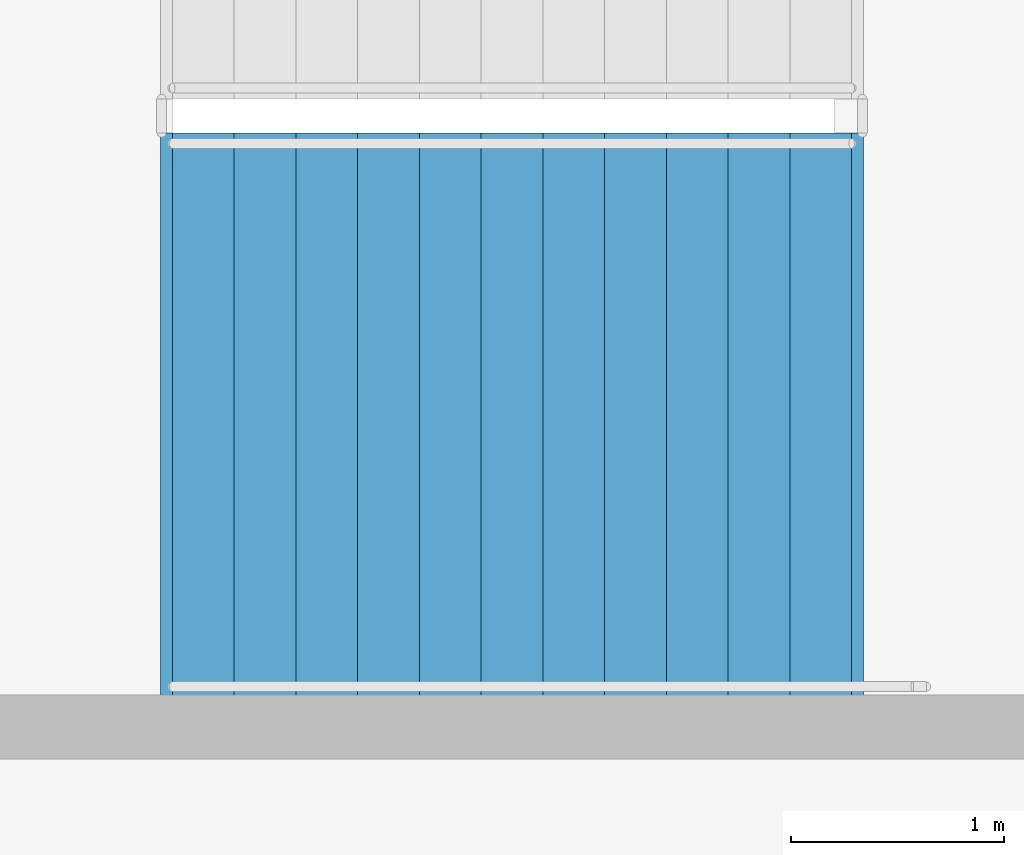
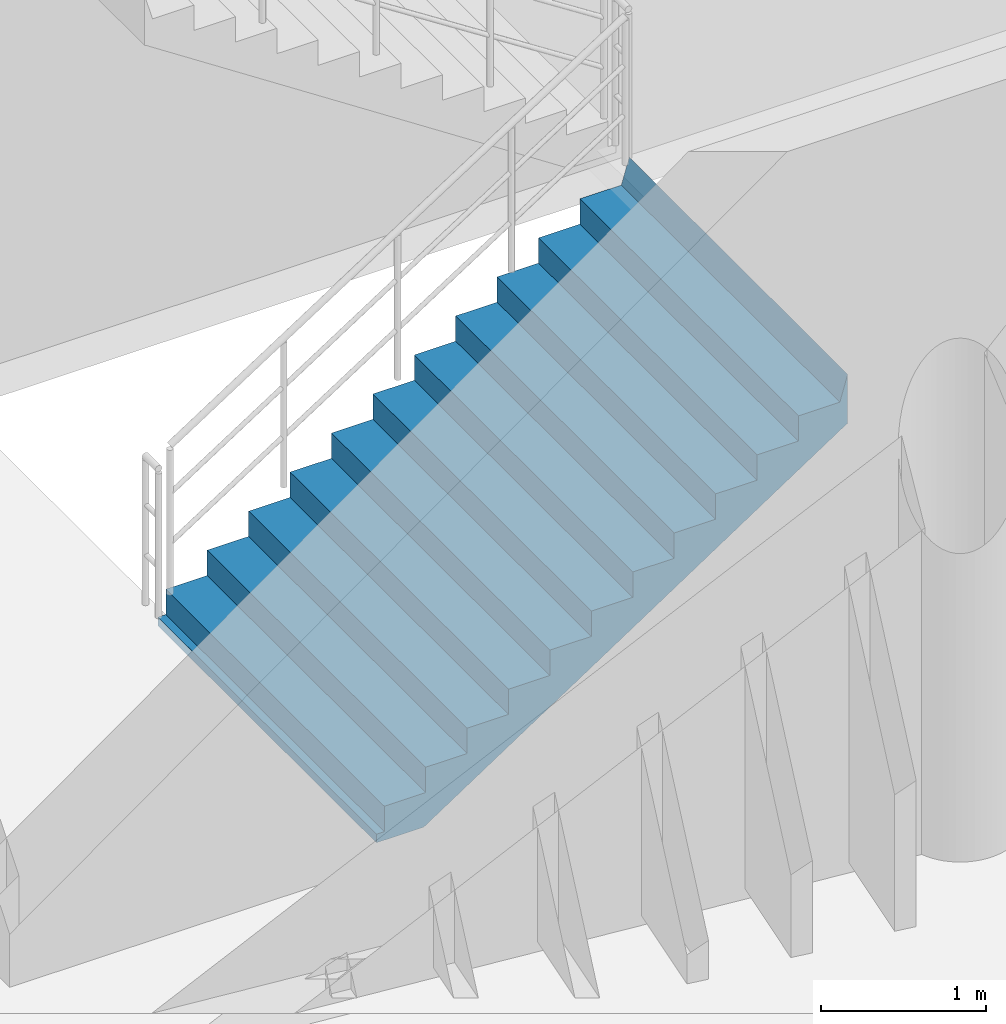
# One storey, part 31 of 45: 1 stair flight, 1 element without a shape of its own.
"""IFC4 building model written with IfcOpenShell, lengths in metres."""

from ifc_helpers import new_model, si_unit, direction, frame, origin, place, context, subcontext, project, spatial, polyline, outline, extrude, material, type_object, element, aggregate, save


model = new_model("IFC4")

# Units and contexts
model_context = context("Model", 3, precision=1e-05, world=origin(), true_north=direction((0.0, 1.0)))
body_context = subcontext(model_context, "Body", "Model", "MODEL_VIEW")
ifc_project = project(units=[si_unit("LENGTHUNIT", "METRE"), si_unit("AREAUNIT", "SQUARE_METRE"), si_unit("VOLUMEUNIT", "CUBIC_METRE"), si_unit("PLANEANGLEUNIT", "RADIAN"), si_unit("MASSUNIT", "GRAM", prefix="KILO")], contexts=[model_context])

# Site, building, storey
site_placement = place(None, origin())
site = spatial("IfcSite", under=ifc_project, at=site_placement, CompositionType="ELEMENT")
building_placement = place(site_placement, origin())
building = spatial("IfcBuilding", under=site, at=building_placement, Name="Cinderbank Siding Concert Hall", CompositionType="ELEMENT")
storey_placement = place(building_placement, frame((0.0, 0.0, 19.199951171875)))
storey = spatial("IfcBuildingStorey", under=building, at=storey_placement, Name="L05", CompositionType="ELEMENT", Elevation=19.199951171875)

# Stair, stair flight
ifc_material = material(Name="Reinforced concrete AS 3600 N50 (50 MPa)", Category="concrete")
stair_type = type_object("IfcStairType", Name="STR-A Dogleg Exit Stair 2650mm", PredefinedType="HALF_TURN_STAIR", material=ifc_material)
stair_placement = place(storey_placement, origin())
stair = element("IfcStair", 1, at=stair_placement, inside=storey, type_object=stair_type, Name="L05 Fire-isolated Exit Stair ST-02", PredefinedType="HALF_TURN_STAIR")
stair_flight_type = type_object("IfcStairFlightType", Name="SFL-A Concrete Stair Flight 2650mm", PredefinedType="STRAIGHT", material=ifc_material)
stair_flight_placement = place(storey_placement, frame((118.949951171875, 25.02490234375, 0.0), z_axis=(0.0, 0.0, 1.0), x_axis=(1.0, 0.0, 0.0)))
stair_flight = element("IfcStairFlight", 2, at=stair_flight_placement, type_object=stair_flight_type, Name="ST-02 flight 1", NumberOfRisers=12, NumberOfTreads=11, PredefinedType="STRAIGHT", RiserHeight=0.1875, TreadLength=0.29, context=body_context, shape_type="SweptSolid", body=[
    extrude(outline(polyline([(0.0, 0.0), (0.0, 0.1875), (0.2900390625, 0.1875), (0.2900390625, 0.375), (0.580078125, 0.375), (0.580078125, 0.5625), (0.8701171875, 0.5625), (0.8701171875, 0.75), (1.159912109375, 0.75), (1.159912109375, 0.9375), (1.449951171875, 0.9375), (1.449951171875, 1.125), (1.739990234375, 1.125), (1.739990234375, 1.3125), (2.030029296875, 1.3125), (2.030029296875, 1.5), (2.320068359375, 1.5), (2.320068359375, 1.6875), (2.610107421875, 1.6875), (2.610107421875, 1.875), (2.89990234375, 1.875), (2.89990234375, 2.0625), (3.18994140625, 2.0625), (3.244873046875, 2.25), (3.244873046875, 1.884033203125), (3.24462890625, 1.88427734375), (3.24462890625, 1.884521484375), (3.24462890625, 1.884765625), (3.24462890625, 1.885009765625), (3.24462890625, 1.88525390625), (3.24462890625, 1.885498046875), (3.24462890625, 1.8857421875), (3.24462890625, 1.885986328125), (3.24462890625, 1.88623046875), (3.24462890625, 1.886474609375), (3.24462890625, 1.88671875), (3.24462890625, 1.886962890625), (3.244384765625, 1.886962890625), (3.244384765625, 1.88671875), (3.244384765625, 1.886474609375), (3.244384765625, 1.88623046875), (3.244384765625, 1.885986328125), (3.244384765625, 1.8857421875), (3.244384765625, 1.885498046875), (3.244384765625, 1.88525390625), (3.244384765625, 1.885009765625), (3.244384765625, 1.884765625), (3.244384765625, 1.884521484375), (3.244384765625, 1.88427734375), (3.244384765625, 1.884033203125), (3.244140625, 1.88427734375), (3.244140625, 1.884521484375), (3.244140625, 1.884765625), (3.244140625, 1.885009765625), (3.244140625, 1.88525390625), (3.244140625, 1.885498046875), (3.244140625, 1.8857421875), (3.244140625, 1.885986328125), (3.244140625, 1.88623046875), (3.244140625, 1.886474609375), (3.244140625, 1.88671875), (3.244140625, 1.886962890625), (3.243896484375, 1.886962890625), (3.243896484375, 1.88671875), (3.243896484375, 1.886474609375), (3.243896484375, 1.88623046875), (3.243896484375, 1.885986328125), (3.243896484375, 1.8857421875), (3.243896484375, 1.885498046875), (3.243896484375, 1.88525390625), (3.243896484375, 1.885009765625), (3.243896484375, 1.884765625), (3.243896484375, 1.884521484375), (3.243896484375, 1.88427734375), (3.243896484375, 1.884033203125), (3.24365234375, 1.88427734375), (3.24365234375, 1.884521484375), (3.24365234375, 1.884765625), (3.24365234375, 1.885009765625), (3.24365234375, 1.88525390625), (3.24365234375, 1.885498046875), (3.24365234375, 1.8857421875), (3.24365234375, 1.885986328125), (3.24365234375, 1.88623046875), (3.24365234375, 1.886474609375), (3.24365234375, 1.88671875), (3.24365234375, 1.886962890625), (3.243408203125, 1.886962890625), (3.243408203125, 1.88671875), (3.243408203125, 1.886474609375), (3.243408203125, 1.88623046875), (3.243408203125, 1.885986328125), (3.243408203125, 1.8857421875), (3.243408203125, 1.885498046875), (3.243408203125, 1.88525390625), (3.243408203125, 1.885009765625), (3.243408203125, 1.884765625), (3.243408203125, 1.884521484375), (3.243408203125, 1.88427734375), (3.243408203125, 1.884033203125), (3.2431640625, 1.88427734375), (3.2431640625, 1.884521484375), (3.2431640625, 1.884765625), (3.2431640625, 1.885009765625), (3.2431640625, 1.88525390625), (3.2431640625, 1.885498046875), (3.2431640625, 1.8857421875), (3.2431640625, 1.885986328125), (3.2431640625, 1.88623046875), (3.2431640625, 1.886474609375), (3.2431640625, 1.88671875), (3.2431640625, 1.886962890625), (3.242919921875, 1.886962890625), (3.242919921875, 1.88671875), (3.242919921875, 1.886474609375), (3.242919921875, 1.88623046875), (3.242919921875, 1.885986328125), (3.242919921875, 1.8857421875), (3.242919921875, 1.885498046875), (3.242919921875, 1.88525390625), (3.242919921875, 1.885009765625), (3.242919921875, 1.884765625), (3.242919921875, 1.884521484375), (3.242919921875, 1.88427734375), (3.242919921875, 1.884033203125), (3.24267578125, 1.88427734375), (3.24267578125, 1.884521484375), (3.24267578125, 1.884765625), (3.24267578125, 1.885009765625), (3.24267578125, 1.88525390625), (3.24267578125, 1.885498046875), (3.24267578125, 1.8857421875), (3.24267578125, 1.885986328125), (3.24267578125, 1.88623046875), (3.24267578125, 1.886474609375), (3.24267578125, 1.88671875), (3.24267578125, 1.886962890625), (3.242431640625, 1.886962890625), (3.242431640625, 1.88671875), (3.242431640625, 1.886474609375), (3.242431640625, 1.88623046875), (3.242431640625, 1.885986328125), (3.242431640625, 1.8857421875), (3.242431640625, 1.885498046875), (3.242431640625, 1.88525390625), (3.242431640625, 1.885009765625), (3.242431640625, 1.884765625), (3.242431640625, 1.884521484375), (3.242431640625, 1.88427734375), (3.242431640625, 1.884033203125), (3.2421875, 1.88427734375), (3.2421875, 1.884521484375), (3.2421875, 1.884765625), (3.2421875, 1.885009765625), (3.2421875, 1.88525390625), (3.2421875, 1.885498046875), (3.2421875, 1.8857421875), (3.2421875, 1.885986328125), (3.2421875, 1.88623046875), (3.2421875, 1.886474609375), (3.2421875, 1.88671875), (3.2421875, 1.886962890625), (3.241943359375, 1.886962890625), (3.241943359375, 1.88671875), (3.241943359375, 1.886474609375), (3.241943359375, 1.88623046875), (3.241943359375, 1.885986328125), (3.241943359375, 1.8857421875), (3.241943359375, 1.885498046875), (3.241943359375, 1.88525390625), (3.241943359375, 1.885009765625), (3.241943359375, 1.884765625), (3.241943359375, 1.884521484375), (3.241943359375, 1.88427734375), (3.241943359375, 1.884033203125), (3.24169921875, 1.88427734375), (3.24169921875, 1.884521484375), (3.24169921875, 1.884765625), (3.24169921875, 1.885009765625), (3.24169921875, 1.88525390625), (3.24169921875, 1.885498046875), (3.24169921875, 1.8857421875), (3.24169921875, 1.885986328125), (3.24169921875, 1.88623046875), (3.24169921875, 1.886474609375), (3.24169921875, 1.88671875), (3.24169921875, 1.886962890625), (3.241455078125, 1.886962890625), (3.241455078125, 1.88671875), (3.241455078125, 1.886474609375), (3.241455078125, 1.88623046875), (3.241455078125, 1.885986328125), (3.241455078125, 1.8857421875), (3.241455078125, 1.885498046875), (3.241455078125, 1.88525390625), (3.241455078125, 1.885009765625), (3.241455078125, 1.884765625), (3.241455078125, 1.884521484375), (3.241455078125, 1.88427734375), (3.241455078125, 1.884033203125), (3.2412109375, 1.88427734375), (3.2412109375, 1.884521484375), (3.2412109375, 1.884765625), (3.2412109375, 1.885009765625), (3.2412109375, 1.88525390625), (3.2412109375, 1.885498046875), (3.2412109375, 1.8857421875), (3.2412109375, 1.885986328125), (3.2412109375, 1.88623046875), (3.2412109375, 1.886474609375), (3.2412109375, 1.88671875), (3.2412109375, 1.886962890625), (3.240966796875, 1.886962890625), (3.240966796875, 1.88671875), (3.240966796875, 1.886474609375), (3.240966796875, 1.88623046875), (3.240966796875, 1.885986328125), (3.240966796875, 1.8857421875), (3.240966796875, 1.885498046875), (3.240966796875, 1.88525390625), (3.240966796875, 1.885009765625), (3.240966796875, 1.884765625), (3.240966796875, 1.884521484375), (3.240966796875, 1.88427734375), (3.240966796875, 1.884033203125), (3.24072265625, 1.88427734375), (3.24072265625, 1.884521484375), (3.24072265625, 1.884765625), (3.24072265625, 1.885009765625), (3.24072265625, 1.88525390625), (3.24072265625, 1.885498046875), (3.24072265625, 1.8857421875), (3.24072265625, 1.885986328125), (3.24072265625, 1.88623046875), (3.24072265625, 1.886474609375), (3.24072265625, 1.88671875), (3.24072265625, 1.886962890625), (3.240478515625, 1.886962890625), (3.240478515625, 1.88671875), (3.240478515625, 1.886474609375), (3.240478515625, 1.88623046875), (3.240478515625, 1.885986328125), (3.240478515625, 1.8857421875), (3.240478515625, 1.885498046875), (3.240478515625, 1.88525390625), (3.240478515625, 1.885009765625), (3.240478515625, 1.884765625), (3.240478515625, 1.884521484375), (3.240478515625, 1.88427734375), (3.240478515625, 1.884033203125), (3.240234375, 1.88427734375), (3.240234375, 1.884521484375), (3.240234375, 1.884765625), (3.240234375, 1.885009765625), (3.240234375, 1.88525390625), (3.240234375, 1.885498046875), (3.240234375, 1.8857421875), (3.240234375, 1.885986328125), (3.240234375, 1.88623046875), (3.240234375, 1.886474609375), (3.240234375, 1.88671875), (3.240234375, 1.886962890625), (3.239990234375, 1.886962890625), (3.239990234375, 1.88671875), (3.239990234375, 1.886474609375), (3.239990234375, 1.88623046875), (3.239990234375, 1.885986328125), (3.239990234375, 1.8857421875), (3.239990234375, 1.885498046875), (3.239990234375, 1.88525390625), (3.239990234375, 1.885009765625), (3.239990234375, 1.884765625), (3.239990234375, 1.884521484375), (3.239990234375, 1.88427734375), (3.239990234375, 1.884033203125), (3.23974609375, 1.88427734375), (3.23974609375, 1.884521484375), (3.23974609375, 1.884765625), (3.23974609375, 1.885009765625), (3.23974609375, 1.88525390625), (3.23974609375, 1.885498046875), (3.23974609375, 1.8857421875), (3.23974609375, 1.885986328125), (3.23974609375, 1.88623046875), (3.23974609375, 1.886474609375), (3.23974609375, 1.88671875), (3.23974609375, 1.886962890625), (3.239501953125, 1.886962890625), (3.239501953125, 1.88671875), (3.239501953125, 1.886474609375), (3.239501953125, 1.88623046875), (3.239501953125, 1.885986328125), (3.239501953125, 1.8857421875), (3.239501953125, 1.885498046875), (3.239501953125, 1.88525390625), (3.239501953125, 1.885009765625), (3.239501953125, 1.884765625), (3.239501953125, 1.884521484375), (3.239501953125, 1.88427734375), (3.239501953125, 1.884033203125), (3.2392578125, 1.88427734375), (3.2392578125, 1.884521484375), (3.2392578125, 1.884765625), (3.2392578125, 1.885009765625), (3.2392578125, 1.88525390625), (3.2392578125, 1.885498046875), (3.2392578125, 1.8857421875), (3.2392578125, 1.885986328125), (3.2392578125, 1.88623046875), (3.2392578125, 1.886474609375), (3.2392578125, 1.88671875), (3.2392578125, 1.886962890625), (3.239013671875, 1.886962890625), (3.239013671875, 1.88671875), (3.239013671875, 1.886474609375), (3.239013671875, 1.88623046875), (3.239013671875, 1.885986328125), (3.239013671875, 1.8857421875), (3.239013671875, 1.885498046875), (3.239013671875, 1.88525390625), (3.239013671875, 1.885009765625), (3.239013671875, 1.884765625), (3.239013671875, 1.884521484375), (3.239013671875, 1.88427734375), (3.239013671875, 1.884033203125), (3.23876953125, 1.88427734375), (3.23876953125, 1.884521484375), (3.23876953125, 1.884765625), (3.23876953125, 1.885009765625), (3.23876953125, 1.88525390625), (3.23876953125, 1.885498046875), (3.23876953125, 1.8857421875), (3.23876953125, 1.885986328125), (3.23876953125, 1.88623046875), (3.23876953125, 1.886474609375), (3.23876953125, 1.88671875), (3.23876953125, 1.886962890625), (3.238525390625, 1.886962890625), (3.238525390625, 1.88671875), (3.238525390625, 1.886474609375), (3.238525390625, 1.88623046875), (3.238525390625, 1.885986328125), (3.238525390625, 1.8857421875), (3.238525390625, 1.885498046875), (3.238525390625, 1.88525390625), (3.238525390625, 1.885009765625), (3.238525390625, 1.884765625), (3.238525390625, 1.884521484375), (3.238525390625, 1.88427734375), (3.238525390625, 1.884033203125), (0.276123046875, -0.06396484375), (-0.048583984375, -0.063720703125), (-0.048583984375, -0.0634765625), (-0.048583984375, -0.063232421875), (-0.048583984375, -0.06298828125), (-0.048583984375, -0.062744140625), (-0.048583984375, -0.0625), (-0.048583984375, -0.062255859375), (-0.048583984375, -0.06201171875), (-0.048583984375, -0.061767578125), (-0.048583984375, -0.0615234375), (-0.048583984375, -0.061279296875), (-0.048583984375, -0.06103515625), (-0.048828125, -0.06103515625), (-0.048828125, -0.061279296875), (-0.048828125, -0.0615234375), (-0.048828125, -0.061767578125), (-0.048828125, -0.06201171875), (-0.048828125, -0.062255859375), (-0.048828125, -0.0625), (-0.048828125, -0.062744140625), (-0.048828125, -0.06298828125), (-0.048828125, -0.063232421875), (-0.048828125, -0.0634765625), (-0.048828125, -0.063720703125), (-0.048828125, -0.06396484375), (-0.049072265625, -0.063720703125), (-0.049072265625, -0.0634765625), (-0.049072265625, -0.063232421875), (-0.049072265625, -0.06298828125), (-0.049072265625, -0.062744140625), (-0.049072265625, -0.0625), (-0.049072265625, -0.062255859375), (-0.049072265625, -0.06201171875), (-0.049072265625, -0.061767578125), (-0.049072265625, -0.0615234375), (-0.049072265625, -0.061279296875), (-0.049072265625, -0.06103515625), (-0.04931640625, -0.06103515625), (-0.04931640625, -0.061279296875), (-0.04931640625, -0.0615234375), (-0.04931640625, -0.061767578125), (-0.04931640625, -0.06201171875), (-0.04931640625, -0.062255859375), (-0.04931640625, -0.0625), (-0.04931640625, -0.062744140625), (-0.04931640625, -0.06298828125), (-0.04931640625, -0.063232421875), (-0.04931640625, -0.0634765625), (-0.04931640625, -0.063720703125), (-0.04931640625, -0.06396484375), (-0.049560546875, -0.063720703125), (-0.049560546875, -0.0634765625), (-0.049560546875, -0.063232421875), (-0.049560546875, -0.06298828125), (-0.049560546875, -0.062744140625), (-0.049560546875, -0.0625), (-0.049560546875, -0.062255859375), (-0.049560546875, -0.06201171875), (-0.049560546875, -0.061767578125), (-0.049560546875, -0.0615234375), (-0.049560546875, -0.061279296875), (-0.049560546875, -0.06103515625), (-0.0498046875, -0.06103515625), (-0.0498046875, -0.061279296875), (-0.0498046875, -0.0615234375), (-0.0498046875, -0.061767578125), (-0.0498046875, -0.06201171875), (-0.0498046875, -0.062255859375), (-0.0498046875, -0.0625), (-0.0498046875, -0.062744140625), (-0.0498046875, -0.06298828125), (-0.0498046875, -0.063232421875), (-0.0498046875, -0.0634765625), (-0.0498046875, -0.063720703125), (-0.0498046875, -0.06396484375), (-0.050048828125, -0.063720703125), (-0.050048828125, -0.0634765625), (-0.050048828125, -0.063232421875), (-0.050048828125, -0.06298828125), (-0.050048828125, -0.062744140625), (-0.050048828125, -0.0625), (-0.050048828125, -0.062255859375), (-0.050048828125, -0.06201171875), (-0.050048828125, -0.061767578125), (-0.050048828125, -0.0615234375), (-0.050048828125, -0.061279296875), (-0.050048828125, -0.06103515625), (-0.05029296875, -0.06103515625), (-0.05029296875, -0.061279296875), (-0.05029296875, -0.0615234375), (-0.05029296875, -0.061767578125), (-0.05029296875, -0.06201171875), (-0.05029296875, -0.062255859375), (-0.05029296875, -0.0625), (-0.05029296875, -0.062744140625), (-0.05029296875, -0.06298828125), (-0.05029296875, -0.063232421875), (-0.05029296875, -0.0634765625), (-0.05029296875, -0.063720703125), (-0.05029296875, -0.06396484375), (-0.050537109375, -0.063720703125), (-0.050537109375, -0.0634765625), (-0.050537109375, -0.063232421875), (-0.050537109375, -0.06298828125), (-0.050537109375, -0.062744140625), (-0.050537109375, -0.0625), (-0.050537109375, -0.062255859375), (-0.050537109375, -0.06201171875), (-0.050537109375, -0.061767578125), (-0.050537109375, -0.0615234375), (-0.050537109375, -0.061279296875), (-0.050537109375, -0.06103515625), (-0.05078125, -0.06103515625), (-0.05078125, -0.061279296875), (-0.05078125, -0.0615234375), (-0.05078125, -0.061767578125), (-0.05078125, -0.06201171875), (-0.05078125, -0.062255859375), (-0.05078125, -0.0625), (-0.05078125, -0.062744140625), (-0.05078125, -0.06298828125), (-0.05078125, -0.063232421875), (-0.05078125, -0.0634765625), (-0.05078125, -0.063720703125), (-0.05078125, -0.06396484375), (-0.051025390625, -0.063720703125), (-0.051025390625, -0.0634765625), (-0.051025390625, -0.063232421875), (-0.051025390625, -0.06298828125), (-0.051025390625, -0.062744140625), (-0.051025390625, -0.0625), (-0.051025390625, -0.062255859375), (-0.051025390625, -0.06201171875), (-0.051025390625, -0.061767578125), (-0.051025390625, -0.0615234375), (-0.051025390625, -0.061279296875), (-0.051025390625, -0.06103515625), (-0.05126953125, -0.06103515625), (-0.05126953125, -0.061279296875), (-0.05126953125, -0.0615234375), (-0.05126953125, -0.061767578125), (-0.05126953125, -0.06201171875), (-0.05126953125, -0.062255859375), (-0.05126953125, -0.0625), (-0.05126953125, -0.062744140625), (-0.05126953125, -0.06298828125), (-0.05126953125, -0.063232421875), (-0.05126953125, -0.0634765625), (-0.05126953125, -0.063720703125), (-0.05126953125, -0.06396484375), (-0.051513671875, -0.063720703125), (-0.051513671875, -0.0634765625), (-0.051513671875, -0.063232421875), (-0.051513671875, -0.06298828125), (-0.051513671875, -0.062744140625), (-0.051513671875, -0.0625), (-0.051513671875, -0.062255859375), (-0.051513671875, -0.06201171875), (-0.051513671875, -0.061767578125), (-0.051513671875, -0.0615234375), (-0.051513671875, -0.061279296875), (-0.051513671875, -0.06103515625), (-0.0517578125, -0.06103515625), (-0.0517578125, -0.061279296875), (-0.0517578125, -0.0615234375), (-0.0517578125, -0.061767578125), (-0.0517578125, -0.06201171875), (-0.0517578125, -0.062255859375), (-0.0517578125, -0.0625), (-0.0517578125, -0.062744140625), (-0.0517578125, -0.06298828125), (-0.0517578125, -0.063232421875), (-0.0517578125, -0.0634765625), (-0.0517578125, -0.063720703125), (-0.0517578125, -0.06396484375), (-0.052001953125, -0.063720703125), (-0.052001953125, -0.0634765625), (-0.052001953125, -0.063232421875), (-0.052001953125, -0.06298828125), (-0.052001953125, -0.062744140625), (-0.052001953125, -0.0625), (-0.052001953125, -0.062255859375), (-0.052001953125, -0.06201171875), (-0.052001953125, -0.061767578125), (-0.052001953125, -0.0615234375), (-0.052001953125, -0.061279296875), (-0.052001953125, -0.06103515625), (-0.05224609375, -0.06103515625), (-0.05224609375, -0.061279296875), (-0.05224609375, -0.0615234375), (-0.05224609375, -0.061767578125), (-0.05224609375, -0.06201171875), (-0.05224609375, -0.062255859375), (-0.05224609375, -0.0625), (-0.05224609375, -0.062744140625), (-0.05224609375, -0.06298828125), (-0.05224609375, -0.063232421875), (-0.05224609375, -0.0634765625), (-0.05224609375, -0.063720703125), (-0.05224609375, -0.06396484375), (-0.052490234375, -0.063720703125), (-0.052490234375, -0.0634765625), (-0.052490234375, -0.063232421875), (-0.052490234375, -0.06298828125), (-0.052490234375, -0.062744140625), (-0.052490234375, -0.0625), (-0.052490234375, -0.062255859375), (-0.052490234375, -0.06201171875), (-0.052490234375, -0.061767578125), (-0.052490234375, -0.0615234375), (-0.052490234375, -0.061279296875), (-0.052490234375, -0.06103515625), (-0.052734375, -0.06103515625), (-0.052734375, -0.061279296875), (-0.052734375, -0.0615234375), (-0.052734375, -0.061767578125), (-0.052734375, -0.06201171875), (-0.052734375, -0.062255859375), (-0.052734375, -0.0625), (-0.052734375, -0.062744140625), (-0.052734375, -0.06298828125), (-0.052734375, -0.063232421875), (-0.052734375, -0.0634765625), (-0.052734375, -0.063720703125), (-0.052734375, -0.06396484375), (-0.052978515625, -0.063720703125), (-0.052978515625, -0.0634765625), (-0.052978515625, -0.063232421875), (-0.052978515625, -0.06298828125), (-0.052978515625, -0.062744140625), (-0.052978515625, -0.0625), (-0.052978515625, -0.062255859375), (-0.052978515625, -0.06201171875), (-0.052978515625, -0.061767578125), (-0.052978515625, -0.0615234375), (-0.052978515625, -0.061279296875), (-0.052978515625, -0.06103515625), (-0.05322265625, -0.06103515625), (-0.05322265625, -0.061279296875), (-0.05322265625, -0.0615234375), (-0.05322265625, -0.061767578125), (-0.05322265625, -0.06201171875), (-0.05322265625, -0.062255859375), (-0.05322265625, -0.0625), (-0.05322265625, -0.062744140625), (-0.05322265625, -0.06298828125), (-0.05322265625, -0.063232421875), (-0.05322265625, -0.0634765625), (-0.05322265625, -0.063720703125), (-0.05322265625, -0.06396484375), (-0.053466796875, -0.063720703125), (-0.053466796875, -0.0634765625), (-0.053466796875, -0.063232421875), (-0.053466796875, -0.06298828125), (-0.053466796875, -0.062744140625), (-0.053466796875, -0.0625), (-0.053466796875, -0.062255859375), (-0.053466796875, -0.06201171875), (-0.053466796875, -0.061767578125), (-0.053466796875, -0.0615234375), (-0.053466796875, -0.061279296875), (-0.053466796875, -0.06103515625), (-0.0537109375, -0.06103515625), (-0.0537109375, -0.061279296875), (-0.0537109375, -0.0615234375), (-0.0537109375, -0.061767578125), (-0.0537109375, -0.06201171875), (-0.0537109375, -0.062255859375), (-0.0537109375, -0.0625), (-0.0537109375, -0.062744140625), (-0.0537109375, -0.06298828125), (-0.0537109375, -0.063232421875), (-0.0537109375, -0.0634765625), (-0.0537109375, -0.063720703125), (-0.0537109375, -0.06396484375), (-0.053955078125, -0.063720703125), (-0.053955078125, -0.0634765625), (-0.053955078125, -0.063232421875), (-0.053955078125, -0.06298828125), (-0.053955078125, -0.062744140625), (-0.053955078125, -0.0625), (-0.053955078125, -0.062255859375), (-0.053955078125, -0.06201171875), (-0.053955078125, -0.061767578125), (-0.053955078125, -0.0615234375), (-0.053955078125, -0.061279296875), (-0.053955078125, -0.06103515625), (-0.05419921875, -0.06103515625), (-0.05419921875, -0.061279296875), (-0.05419921875, -0.0615234375), (-0.05419921875, -0.061767578125), (-0.05419921875, -0.06201171875), (-0.05419921875, -0.062255859375), (-0.05419921875, -0.0625), (-0.05419921875, -0.062744140625), (-0.05419921875, -0.06298828125), (-0.05419921875, -0.063232421875), (-0.05419921875, -0.0634765625), (-0.05419921875, -0.063720703125), (-0.05419921875, -0.06396484375), (-0.054443359375, -0.063720703125), (-0.054443359375, -0.0634765625), (-0.054443359375, -0.063232421875), (-0.054443359375, -0.06298828125), (-0.054443359375, -0.062744140625), (-0.054443359375, -0.0625), (-0.054443359375, -0.062255859375), (-0.054443359375, -0.06201171875), (-0.054443359375, -0.061767578125), (-0.054443359375, -0.0615234375), (-0.054443359375, -0.061279296875), (-0.054443359375, -0.06103515625), (-0.0546875, -0.06103515625), (-0.0546875, -0.061279296875), (-0.0546875, -0.0615234375), (-0.0546875, -0.061767578125), (-0.0546875, -0.06201171875), (-0.0546875, -0.062255859375), (-0.0546875, -0.0625), (-0.0546875, -0.062744140625), (-0.0546875, -0.06298828125), (-0.0546875, -0.063232421875), (-0.0546875, -0.0634765625), (-0.0546875, -0.063720703125), (-0.0546875, -0.06396484375), (-0.054931640625, -0.06396484375), (-0.054931640625, 0.0), (0.0, 0.0)])), frame((0.0, 1.324951171875, 0.0), z_axis=(0.0, -1.0, 0.0), x_axis=(1.0, 0.0, 0.0)), (0.0, 0.0, 1.0), 2.64990234375),
])
aggregate(stair, [stair_flight])

save(model, "model.ifc")
